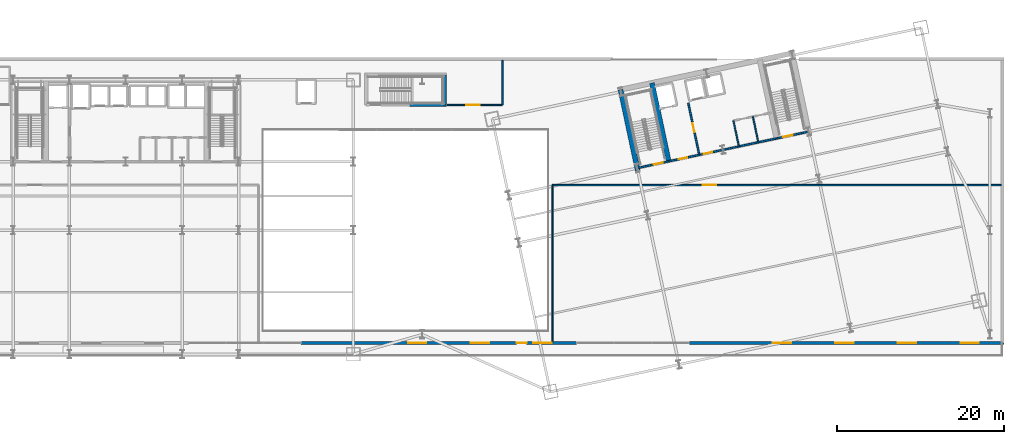
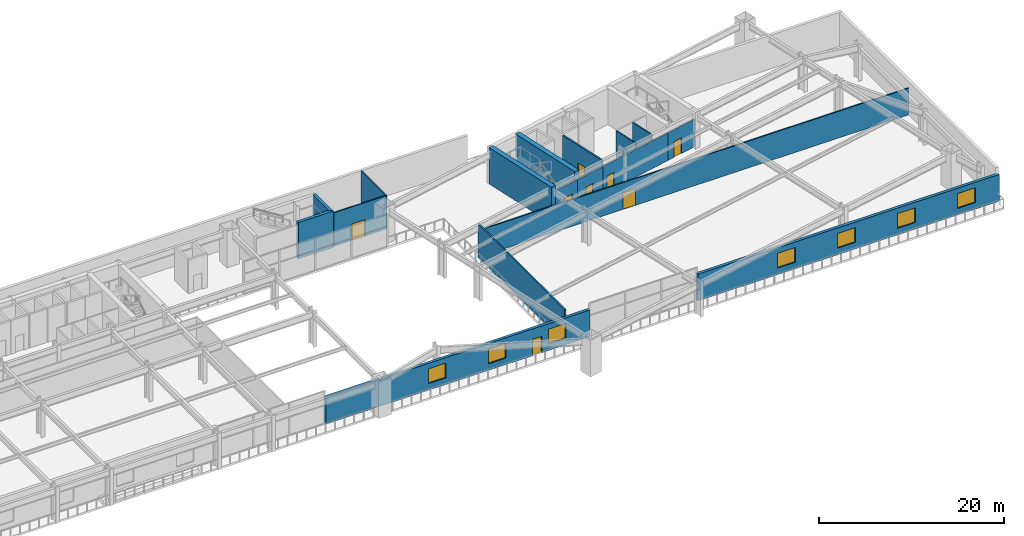
# One storey, part 21 of 35: 17 walls, 8 doors, 7 windows, 15 openings.
"""IFC4 building model written with IfcOpenShell, lengths in metres."""

from ifc_helpers import new_model, si_unit, direction, frame, frame_2d, origin, place, context, subcontext, project, spatial, rectangle, extrude, material, layer, layer_set, type_object, element, fill, save


model = new_model("IFC4")

# Units and contexts
model_context = context("Model", 3, precision=1e-05, world=origin(), true_north=direction((0.0, 1.0)))
body_context = subcontext(model_context, "Body", "Model", "MODEL_VIEW")
ifc_project = project(units=[si_unit("LENGTHUNIT", "METRE"), si_unit("AREAUNIT", "SQUARE_METRE"), si_unit("VOLUMEUNIT", "CUBIC_METRE"), si_unit("PLANEANGLEUNIT", "RADIAN"), si_unit("MASSUNIT", "GRAM", prefix="KILO")], contexts=[model_context])

# Site, building, storey
site_placement = place(None, origin())
site = spatial("IfcSite", under=ifc_project, at=site_placement, CompositionType="ELEMENT")
building_placement = place(site_placement, origin())
building = spatial("IfcBuilding", under=site, at=building_placement, Name="Haevon Station Towers", CompositionType="ELEMENT")
storey_placement = place(building_placement, frame((0.0, 0.0, 20.39990234375)))
storey = spatial("IfcBuildingStorey", under=building, at=storey_placement, Name="L04", CompositionType="ELEMENT", Elevation=20.39990234375)

# Wall, opening, door
ifc_material_1 = material(Name="Gypsum board on steel stud", Category="steel")
ifc_layer_1 = layer(ifc_material_1, 0.199951171875)
ifc_layer_set_1 = layer_set([ifc_layer_1], Name="Gypsum board on steel stud")
wall_type_1 = type_object("IfcWallType", Name="WL-COR200", PredefinedType="PARTITIONING", material=ifc_layer_set_1)
wall_1_placement = place(storey_placement, frame((98.75244140625, 37.4423828125, 0.0), z_axis=(0.0, 0.0, 1.0), x_axis=(0.978143537786, 0.207930804564, 0.0)))
wall_1 = element("IfcWall", 1, at=wall_1_placement, inside=storey, type_object=wall_type_1, Name="WL-ST-ST3-L04", PredefinedType="PARTITIONING", context=body_context, shape_type="SweptSolid", body=[
    extrude(rectangle(XDim=3.85009765625, YDim=0.199951171875, at=frame_2d((1.925048828125, 0.0))), origin(), (0.0, 0.0, 1.0), 3.630126953125),
])
opening_1_placement = place(wall_1_placement, frame((2.0, 0.0, 0.0)))
opening_1 = element("IfcOpeningElement", 2, at=opening_1_placement, cuts=wall_1, Name="Opening DR-ST-ST3-L04", PredefinedType="OPENING", context=body_context, shape_type="SweptSolid", body=[
    extrude(rectangle(XDim=1.1201171875, YDim=2.10009765625, at=frame_2d((0.56005859375, 1.050048828125))), frame((0.0, 0.10986328125, 0.0), z_axis=(0.0, -1.0, 0.0), x_axis=(1.0, 0.0, 0.0)), (0.0, 0.0, 1.0), 0.219970703125),
])
ifc_material_2 = material(Name="Engineered oak timber", Category="wood")
door_type_1 = type_object("IfcDoorType", Name="DR-ST-1120", OperationType="NOTDEFINED", PredefinedType="DOOR", material=ifc_material_2)
door_1_placement = place(opening_1_placement, origin())
door_1 = element("IfcDoor", 3, at=door_1_placement, inside=storey, type_object=door_type_1, Name="L04 Escape Stair ST3 Fire Door", OperationType="SINGLE_SWING_LEFT", OverallHeight=2.10009765625, OverallWidth=1.1201171875, PredefinedType="DOOR", context=body_context, shape_type="SweptSolid", body=[
    extrude(rectangle(XDim=1.1201171875, YDim=2.10009765625, at=frame_2d((0.56005859375, 1.050048828125))), frame((0.0, 0.02490234375, 0.0), z_axis=(0.0, -1.0, 0.0), x_axis=(1.0, 0.0, 0.0)), (0.0, 0.0, 1.0), 0.050048828125),
])
fill(opening_1, door_1)

wall_2_placement = place(storey_placement, frame((115.4296875, 40.9873046875, 0.0), z_axis=(0.0, 0.0, 1.0), x_axis=(0.978146596989, 0.207916413008, 0.0)))
wall_2 = element("IfcWall", 4, at=wall_2_placement, inside=storey, type_object=wall_type_1, Name="WL-ST-ST4-L04", PredefinedType="PARTITIONING", context=body_context, shape_type="SweptSolid", body=[
    extrude(rectangle(XDim=3.9501953125, YDim=0.199951171875, at=frame_2d((1.97509765625, 0.0))), origin(), (0.0, 0.0, 1.0), 3.630126953125),
])
opening_2_placement = place(wall_2_placement, frame((0.85009765625, 0.0, 0.0)))
opening_2 = element("IfcOpeningElement", 5, at=opening_2_placement, cuts=wall_2, Name="Opening DR-ST-ST4-L04", PredefinedType="OPENING", context=body_context, shape_type="SweptSolid", body=[
    extrude(rectangle(XDim=1.1201171875, YDim=2.10009765625, at=frame_2d((0.56005859375, 1.050048828125))), frame((0.0, 0.10986328125, 0.0), z_axis=(0.0, -1.0, 0.0), x_axis=(1.0, 0.0, 0.0)), (0.0, 0.0, 1.0), 0.219970703125),
])
door_2_placement = place(opening_2_placement, origin())
door_2 = element("IfcDoor", 6, at=door_2_placement, inside=storey, type_object=door_type_1, Name="L04 Escape Stair ST4 Fire Door", OperationType="SINGLE_SWING_RIGHT", OverallHeight=2.10009765625, OverallWidth=1.1201171875, PredefinedType="DOOR", context=body_context, shape_type="SweptSolid", body=[
    extrude(rectangle(XDim=1.1201171875, YDim=2.10009765625, at=frame_2d((0.56005859375, 1.050048828125))), frame((0.0, 0.02490234375, 0.0), z_axis=(0.0, -1.0, 0.0), x_axis=(1.0, 0.0, 0.0)), (0.0, 0.0, 1.0), 0.050048828125),
])
fill(opening_2, door_2)

wall_3_placement = place(storey_placement, frame((106.186279296875, 39.0224609375, 0.0), z_axis=(0.0, 0.0, 1.0), x_axis=(-0.207916691923, 0.978146537703, 0.0)))
wall_3 = element("IfcWall", 7, at=wall_3_placement, inside=storey, type_object=wall_type_1, Name="WL-T2FFL-L04-E", PredefinedType="PARTITIONING", context=body_context, shape_type="SweptSolid", body=[
    extrude(rectangle(XDim=6.35009765625, YDim=0.199951171875, at=frame_2d((3.175048828125, 0.0))), origin(), (0.0, 0.0, 1.0), 4.43017578125),
])
opening_3_placement = place(wall_3_placement, frame((2.800048828125, 0.0, 0.0)))
opening_3 = element("IfcOpeningElement", 8, at=opening_3_placement, cuts=wall_3, Name="Opening DR-T2FFL-L04-E", PredefinedType="OPENING", context=body_context, shape_type="SweptSolid", body=[
    extrude(rectangle(XDim=1.050048828125, YDim=2.10009765625, at=frame_2d((0.52490234375, 1.050048828125))), frame((0.0, 0.10986328125, 0.0), z_axis=(0.0, -1.0, 0.0), x_axis=(1.0, 0.0, 0.0)), (0.0, 0.0, 1.0), 0.219970703125),
])
door_type_2 = type_object("IfcDoorType", Name="DR-FD60-1050", OperationType="NOTDEFINED", PredefinedType="DOOR", material=ifc_material_2)
door_3_placement = place(opening_3_placement, origin())
door_3 = element("IfcDoor", 9, at=door_3_placement, inside=storey, type_object=door_type_2, Name="L04 Tower 2 Firefighting Lift Lobby Door E", OperationType="SINGLE_SWING_LEFT", OverallHeight=2.10009765625, OverallWidth=1.050048828125, PredefinedType="DOOR", context=body_context, shape_type="SweptSolid", body=[
    extrude(rectangle(XDim=1.050048828125, YDim=2.10009765625, at=frame_2d((0.52490234375, 1.050048828125))), frame((0.0, 0.02490234375, 0.0), z_axis=(0.0, -1.0, 0.0), x_axis=(1.0, 0.0, 0.0)), (0.0, 0.0, 1.0), 0.050048828125),
])
fill(opening_3, door_3)

wall_4_placement = place(storey_placement, frame((102.518310546875, 38.242919921875, 0.0), z_axis=(0.0, 0.0, 1.0), x_axis=(0.978153555683, 0.20788367301, 0.0)))
wall_4 = element("IfcWall", 10, at=wall_4_placement, inside=storey, type_object=wall_type_1, Name="WL-T2FFL-L04-S", PredefinedType="PARTITIONING", context=body_context, shape_type="SweptSolid", body=[
    extrude(rectangle(XDim=3.75, YDim=0.199951171875, at=frame_2d((1.875, 0.0))), origin(), (0.0, 0.0, 1.0), 3.630126953125),
])
opening_4_placement = place(wall_4_placement, frame((1.25, 0.0, 0.0)))
opening_4 = element("IfcOpeningElement", 11, at=opening_4_placement, cuts=wall_4, Name="Opening DR-T2FFL-L04-S", PredefinedType="OPENING", context=body_context, shape_type="SweptSolid", body=[
    extrude(rectangle(XDim=1.050048828125, YDim=2.10009765625, at=frame_2d((0.52490234375, 1.050048828125))), frame((0.0, 0.10986328125, 0.0), z_axis=(0.0, -1.0, 0.0), x_axis=(1.0, 0.0, 0.0)), (0.0, 0.0, 1.0), 0.219970703125),
])
door_4_placement = place(opening_4_placement, origin())
door_4 = element("IfcDoor", 12, at=door_4_placement, inside=storey, type_object=door_type_2, Name="L04 Tower 2 Firefighting Lift Lobby Door S", OperationType="SINGLE_SWING_RIGHT", OverallHeight=2.10009765625, OverallWidth=1.050048828125, PredefinedType="DOOR", context=body_context, shape_type="SweptSolid", body=[
    extrude(rectangle(XDim=1.050048828125, YDim=2.10009765625, at=frame_2d((0.52490234375, 1.050048828125))), frame((0.0, 0.02490234375, 0.0), z_axis=(0.0, -1.0, 0.0), x_axis=(1.0, 0.0, 0.0)), (0.0, 0.0, 1.0), 0.050048828125),
])
fill(opening_4, door_4)

wall_5_placement = place(storey_placement, frame((106.186279296875, 39.0224609375, 0.0), z_axis=(0.0, 0.0, 1.0), x_axis=(0.978145519981, 0.20792147975, 0.0)))
wall_5 = element("IfcWall", 13, at=wall_5_placement, inside=storey, type_object=wall_type_1, Name="WL-T2CLB-L04", PredefinedType="PARTITIONING", context=body_context, shape_type="SweptSolid", body=[
    extrude(rectangle(XDim=9.449951171875, YDim=0.199951171875, at=frame_2d((4.72509765625, 0.0))), origin(), (0.0, 0.0, 1.0), 3.630126953125),
])
opening_5_placement = place(wall_5_placement, frame((0.550048828125, 0.0, 0.0)))
opening_5 = element("IfcOpeningElement", 14, at=opening_5_placement, cuts=wall_5, Name="Opening DR-T2CLB-L04-1", PredefinedType="OPENING", context=body_context, shape_type="SweptSolid", body=[
    extrude(rectangle(XDim=1.050048828125, YDim=2.10009765625, at=frame_2d((0.52490234375, 1.050048828125))), frame((0.0, 0.10986328125, 0.0), z_axis=(0.0, -1.0, 0.0), x_axis=(1.0, 0.0, 0.0)), (0.0, 0.0, 1.0), 0.219970703125),
])
door_5_placement = place(opening_5_placement, origin())
door_5 = element("IfcDoor", 15, at=door_5_placement, inside=storey, type_object=door_type_2, Name="L04 Tower 2 Core Lift Lobby Door 1", OperationType="SINGLE_SWING_LEFT", OverallHeight=2.10009765625, OverallWidth=1.050048828125, PredefinedType="DOOR", context=body_context, shape_type="SweptSolid", body=[
    extrude(rectangle(XDim=1.050048828125, YDim=2.10009765625, at=frame_2d((0.52490234375, 1.050048828125))), frame((0.0, 0.02490234375, 0.0), z_axis=(0.0, -1.0, 0.0), x_axis=(1.0, 0.0, 0.0)), (0.0, 0.0, 1.0), 0.050048828125),
])
fill(opening_5, door_5)

# Walls
ifc_material_3 = material(Name="Concrete C60/75", Category="concrete")
ifc_layer_2 = layer(ifc_material_3, 0.39990234375)
ifc_layer_set_2 = layer_set([ifc_layer_2], Name="Concrete C60/75")
wall_type_2 = type_object("IfcWallType", Name="WL-CR400", PredefinedType="SHEAR", material=ifc_layer_set_2)
wall_6_placement = place(storey_placement, frame((75.699951171875, 45.0, 0.0), z_axis=(0.0, 0.0, 1.0), x_axis=(0.0, 1.0, 0.0)))
element("IfcWall", 16, at=wall_6_placement, inside=storey, type_object=wall_type_2, Name="WL-ST6CR-L04-E", PredefinedType="SHEAR", context=body_context, shape_type="SweptSolid", body=[
    extrude(rectangle(XDim=3.60009765625, YDim=0.39990234375, at=frame_2d((1.800048828125, 0.0))), origin(), (0.0, 0.0, 1.0), 4.800048828125),
])
wall_7_placement = place(storey_placement, frame((71.5, 45.0, 0.0), z_axis=(0.0, 0.0, 1.0), x_axis=(1.0, 0.0, 0.0)))
element("IfcWall", 17, at=wall_7_placement, inside=storey, type_object=wall_type_2, Name="WL-ST6CR-L04-S2", PredefinedType="SHEAR", context=body_context, shape_type="SweptSolid", body=[
    extrude(rectangle(XDim=4.39990234375, YDim=0.39990234375, at=frame_2d((2.199951171875, 0.0))), origin(), (0.0, 0.0, 1.0), 4.800048828125),
])
ifc_layer_3 = layer(ifc_material_3, 0.60009765625)
ifc_layer_set_3 = layer_set([ifc_layer_3], Name="Concrete C60/75")
wall_type_3 = type_object("IfcWallType", Name="WL-CR600", PredefinedType="SHEAR", material=ifc_layer_set_3)
wall_8_placement = place(storey_placement, frame((98.8603515625, 36.933837890625, 0.0), z_axis=(0.0, 0.0, 1.0), x_axis=(-0.20790924889, 0.978148119778, 0.0)))
element("IfcWall", 18, at=wall_8_placement, inside=storey, type_object=wall_type_3, Name="WL-T2CR-L04-W", PredefinedType="SHEAR", context=body_context, shape_type="SweptSolid", body=[
    extrude(rectangle(XDim=10.119873046875, YDim=0.60009765625, at=frame_2d((5.06005859375, 0.0))), origin(), (0.0, 0.0, 1.0), 4.800048828125),
])
wall_9_placement = place(storey_placement, frame((102.518310546875, 38.242919921875, 0.0), z_axis=(0.0, 0.0, 1.0), x_axis=(-0.207927495108, 0.978144241295, 0.0)))
element("IfcWall", 19, at=wall_9_placement, inside=storey, type_object=wall_type_3, Name="WL-T2CR-L04-M1", PredefinedType="SHEAR", context=body_context, shape_type="SweptSolid", body=[
    extrude(rectangle(XDim=9.599853515625, YDim=0.60009765625, at=frame_2d((4.7998046875, 0.0))), origin(), (0.0, 0.0, 1.0), 4.800048828125),
])

# Wall, openings, windows
ifc_material_4 = material(Name="Precast concrete C45/55", Category="concrete")
ifc_layer_4 = layer(ifc_material_4, 0.360107421875)
ifc_layer_set_4 = layer_set([ifc_layer_4], Name="Precast concrete C45/55")
wall_type_4 = type_object("IfcWallType", Name="WL-EXT-POD360", PredefinedType="SOLIDWALL", material=ifc_layer_set_4)
wall_10_placement = place(storey_placement, frame((142.679931640625, 16.5, 0.0), z_axis=(0.0, 0.0, 1.0), x_axis=(-1.0, 0.0, 0.0)))
wall_10 = element("IfcWall", 20, at=wall_10_placement, inside=storey, type_object=wall_type_4, Name="WL-POD-L04-S1", PredefinedType="SOLIDWALL", context=body_context, shape_type="SweptSolid", body=[
    extrude(rectangle(XDim=37.679931640625, YDim=0.360107421875, at=frame_2d((18.83984375, 0.0))), origin(), (0.0, 0.0, 1.0), 3.530029296875),
])
opening_6_placement = place(wall_10_placement, frame((3.0, 0.0, 0.85009765625)))
opening_6 = element("IfcOpeningElement", 21, at=opening_6_placement, cuts=wall_10, Name="Opening WN-P220", PredefinedType="OPENING", context=body_context, shape_type="SweptSolid", body=[
    extrude(rectangle(XDim=2.199951171875, YDim=1.949951171875, at=frame_2d((1.10009765625, 0.97509765625))), frame((0.0, 0.18994140625, 0.0), z_axis=(0.0, -1.0, 0.0), x_axis=(1.0, 0.0, 0.0)), (0.0, 0.0, 1.0), 0.380126953125),
])
opening_7_placement = place(wall_10_placement, frame((10.5, 0.0, 0.85009765625)))
opening_7 = element("IfcOpeningElement", 22, at=opening_7_placement, cuts=wall_10, Name="Opening WN-P220", PredefinedType="OPENING", context=body_context, shape_type="SweptSolid", body=[
    extrude(rectangle(XDim=2.199951171875, YDim=1.949951171875, at=frame_2d((1.10009765625, 0.97509765625))), frame((0.0, 0.18994140625, 0.0), z_axis=(0.0, -1.0, 0.0), x_axis=(1.0, 0.0, 0.0)), (0.0, 0.0, 1.0), 0.380126953125),
])
opening_8_placement = place(wall_10_placement, frame((18.0, 0.0, 0.85009765625)))
opening_8 = element("IfcOpeningElement", 23, at=opening_8_placement, cuts=wall_10, Name="Opening WN-P220", PredefinedType="OPENING", context=body_context, shape_type="SweptSolid", body=[
    extrude(rectangle(XDim=2.199951171875, YDim=1.949951171875, at=frame_2d((1.10009765625, 0.97509765625))), frame((0.0, 0.18994140625, 0.0), z_axis=(0.0, -1.0, 0.0), x_axis=(1.0, 0.0, 0.0)), (0.0, 0.0, 1.0), 0.380126953125),
])
opening_9_placement = place(wall_10_placement, frame((25.5, 0.0, 0.85009765625)))
opening_9 = element("IfcOpeningElement", 24, at=opening_9_placement, cuts=wall_10, Name="Opening WN-P220", PredefinedType="OPENING", context=body_context, shape_type="SweptSolid", body=[
    extrude(rectangle(XDim=2.199951171875, YDim=1.949951171875, at=frame_2d((1.10009765625, 0.97509765625))), frame((0.0, 0.18994140625, 0.0), z_axis=(0.0, -1.0, 0.0), x_axis=(1.0, 0.0, 0.0)), (0.0, 0.0, 1.0), 0.380126953125),
])
ifc_material_5 = material(Name="Low-E triple glazing in thermally broken aluminium", Category="aluminium")
window_type = type_object("IfcWindowType", Name="WN-P220", PartitioningType="SINGLE_PANEL", PredefinedType="WINDOW", material=ifc_material_5)
window_1_placement = place(opening_6_placement, origin())
window_1 = element("IfcWindow", 25, at=window_1_placement, inside=storey, type_object=window_type, Name="WN-POD-L04-S1-01", OverallHeight=1.949951171875, OverallWidth=2.199951171875, PartitioningType="SINGLE_PANEL", PredefinedType="WINDOW", context=body_context, shape_type="SweptSolid", body=[
    extrude(rectangle(XDim=2.199951171875, YDim=1.949951171875, at=frame_2d((1.10009765625, 0.97509765625))), frame((0.0, 0.030029296875, 0.0), z_axis=(0.0, -1.0, 0.0), x_axis=(1.0, 0.0, 0.0)), (0.0, 0.0, 1.0), 0.06005859375),
])
fill(opening_6, window_1)
window_2_placement = place(opening_7_placement, origin())
window_2 = element("IfcWindow", 26, at=window_2_placement, inside=storey, type_object=window_type, Name="WN-POD-L04-S1-02", OverallHeight=1.949951171875, OverallWidth=2.199951171875, PartitioningType="SINGLE_PANEL", PredefinedType="WINDOW", context=body_context, shape_type="SweptSolid", body=[
    extrude(rectangle(XDim=2.199951171875, YDim=1.949951171875, at=frame_2d((1.10009765625, 0.97509765625))), frame((0.0, 0.030029296875, 0.0), z_axis=(0.0, -1.0, 0.0), x_axis=(1.0, 0.0, 0.0)), (0.0, 0.0, 1.0), 0.06005859375),
])
fill(opening_7, window_2)
window_3_placement = place(opening_8_placement, origin())
window_3 = element("IfcWindow", 27, at=window_3_placement, inside=storey, type_object=window_type, Name="WN-POD-L04-S1-03", OverallHeight=1.949951171875, OverallWidth=2.199951171875, PartitioningType="SINGLE_PANEL", PredefinedType="WINDOW", context=body_context, shape_type="SweptSolid", body=[
    extrude(rectangle(XDim=2.199951171875, YDim=1.949951171875, at=frame_2d((1.10009765625, 0.97509765625))), frame((0.0, 0.030029296875, 0.0), z_axis=(0.0, -1.0, 0.0), x_axis=(1.0, 0.0, 0.0)), (0.0, 0.0, 1.0), 0.06005859375),
])
fill(opening_8, window_3)
window_4_placement = place(opening_9_placement, origin())
window_4 = element("IfcWindow", 28, at=window_4_placement, inside=storey, type_object=window_type, Name="WN-POD-L04-S1-04", OverallHeight=1.949951171875, OverallWidth=2.199951171875, PartitioningType="SINGLE_PANEL", PredefinedType="WINDOW", context=body_context, shape_type="SweptSolid", body=[
    extrude(rectangle(XDim=2.199951171875, YDim=1.949951171875, at=frame_2d((1.10009765625, 0.97509765625))), frame((0.0, 0.030029296875, 0.0), z_axis=(0.0, -1.0, 0.0), x_axis=(1.0, 0.0, 0.0)), (0.0, 0.0, 1.0), 0.06005859375),
])
fill(opening_9, window_4)

# Wall, openings, door, windows
wall_11_placement = place(storey_placement, frame((91.5, 16.5, 0.0), z_axis=(0.0, 0.0, 1.0), x_axis=(-1.0, 0.0, 0.0)))
wall_11 = element("IfcWall", 29, at=wall_11_placement, inside=storey, type_object=wall_type_4, Name="WL-POD-L04-S2", PredefinedType="SOLIDWALL", context=body_context, shape_type="SweptSolid", body=[
    extrude(rectangle(XDim=33.0, YDim=0.360107421875, at=frame_2d((16.5, 0.0))), origin(), (0.0, 0.0, 1.0), 3.530029296875),
])
opening_10_placement = place(wall_11_placement, frame((3.0, 0.0, 0.85009765625)))
opening_10 = element("IfcOpeningElement", 30, at=opening_10_placement, cuts=wall_11, Name="Opening WN-P220", PredefinedType="OPENING", context=body_context, shape_type="SweptSolid", body=[
    extrude(rectangle(XDim=2.199951171875, YDim=1.949951171875, at=frame_2d((1.10009765625, 0.97509765625))), frame((0.0, 0.18994140625, 0.0), z_axis=(0.0, -1.0, 0.0), x_axis=(1.0, 0.0, 0.0)), (0.0, 0.0, 1.0), 0.380126953125),
])
opening_11_placement = place(wall_11_placement, frame((10.5, 0.0, 0.85009765625)))
opening_11 = element("IfcOpeningElement", 31, at=opening_11_placement, cuts=wall_11, Name="Opening WN-P220", PredefinedType="OPENING", context=body_context, shape_type="SweptSolid", body=[
    extrude(rectangle(XDim=2.199951171875, YDim=1.949951171875, at=frame_2d((1.10009765625, 0.97509765625))), frame((0.0, 0.18994140625, 0.0), z_axis=(0.0, -1.0, 0.0), x_axis=(1.0, 0.0, 0.0)), (0.0, 0.0, 1.0), 0.380126953125),
])
opening_12_placement = place(wall_11_placement, frame((18.0, 0.0, 0.85009765625)))
opening_12 = element("IfcOpeningElement", 32, at=opening_12_placement, cuts=wall_11, Name="Opening WN-P220", PredefinedType="OPENING", context=body_context, shape_type="SweptSolid", body=[
    extrude(rectangle(XDim=2.199951171875, YDim=1.949951171875, at=frame_2d((1.10009765625, 0.97509765625))), frame((0.0, 0.18994140625, 0.0), z_axis=(0.0, -1.0, 0.0), x_axis=(1.0, 0.0, 0.0)), (0.0, 0.0, 1.0), 0.380126953125),
])
opening_13_placement = place(wall_11_placement, frame((6.0, 0.0, 0.0)))
opening_13 = element("IfcOpeningElement", 33, at=opening_13_placement, cuts=wall_11, Name="Opening DR-POD-TERR-L04", PredefinedType="OPENING", context=body_context, shape_type="SweptSolid", body=[
    extrude(rectangle(XDim=1.199951171875, YDim=2.14990234375, at=frame_2d((0.60009765625, 1.074951171875))), frame((0.0, 0.18994140625, 0.0), z_axis=(0.0, -1.0, 0.0), x_axis=(1.0, 0.0, 0.0)), (0.0, 0.0, 1.0), 0.380126953125),
])
ifc_material_6 = material(Name="Thermally broken anodised aluminium and laminated safety glass", Category="aluminium")
door_type_3 = type_object("IfcDoorType", Name="DR-BALC-1200", OperationType="NOTDEFINED", PredefinedType="DOOR", material=ifc_material_6)
door_6_placement = place(opening_13_placement, origin())
door_6 = element("IfcDoor", 34, at=door_6_placement, inside=storey, type_object=door_type_3, Name="L04 Podium Terrace Access Door", OperationType="SINGLE_SWING_RIGHT", OverallHeight=2.14990234375, OverallWidth=1.199951171875, PredefinedType="DOOR", context=body_context, shape_type="SweptSolid", body=[
    extrude(rectangle(XDim=1.199951171875, YDim=2.14990234375, at=frame_2d((0.60009765625, 1.074951171875))), frame((0.0, 0.02490234375, 0.0), z_axis=(0.0, -1.0, 0.0), x_axis=(1.0, 0.0, 0.0)), (0.0, 0.0, 1.0), 0.050048828125),
])
fill(opening_13, door_6)
window_5_placement = place(opening_10_placement, origin())
window_5 = element("IfcWindow", 35, at=window_5_placement, inside=storey, type_object=window_type, Name="WN-POD-L04-S2-01", OverallHeight=1.949951171875, OverallWidth=2.199951171875, PartitioningType="SINGLE_PANEL", PredefinedType="WINDOW", context=body_context, shape_type="SweptSolid", body=[
    extrude(rectangle(XDim=2.199951171875, YDim=1.949951171875, at=frame_2d((1.10009765625, 0.97509765625))), frame((0.0, 0.030029296875, 0.0), z_axis=(0.0, -1.0, 0.0), x_axis=(1.0, 0.0, 0.0)), (0.0, 0.0, 1.0), 0.06005859375),
])
fill(opening_10, window_5)
window_6_placement = place(opening_11_placement, origin())
window_6 = element("IfcWindow", 36, at=window_6_placement, inside=storey, type_object=window_type, Name="WN-POD-L04-S2-02", OverallHeight=1.949951171875, OverallWidth=2.199951171875, PartitioningType="SINGLE_PANEL", PredefinedType="WINDOW", context=body_context, shape_type="SweptSolid", body=[
    extrude(rectangle(XDim=2.199951171875, YDim=1.949951171875, at=frame_2d((1.10009765625, 0.97509765625))), frame((0.0, 0.030029296875, 0.0), z_axis=(0.0, -1.0, 0.0), x_axis=(1.0, 0.0, 0.0)), (0.0, 0.0, 1.0), 0.06005859375),
])
fill(opening_11, window_6)
window_7_placement = place(opening_12_placement, origin())
window_7 = element("IfcWindow", 37, at=window_7_placement, inside=storey, type_object=window_type, Name="WN-POD-L04-S2-03", OverallHeight=1.949951171875, OverallWidth=2.199951171875, PartitioningType="SINGLE_PANEL", PredefinedType="WINDOW", context=body_context, shape_type="SweptSolid", body=[
    extrude(rectangle(XDim=2.199951171875, YDim=1.949951171875, at=frame_2d((1.10009765625, 0.97509765625))), frame((0.0, 0.030029296875, 0.0), z_axis=(0.0, -1.0, 0.0), x_axis=(1.0, 0.0, 0.0)), (0.0, 0.0, 1.0), 0.06005859375),
])
fill(opening_12, window_7)

# Wall
ifc_layer_5 = layer(ifc_material_1, 0.159912109375)
ifc_layer_set_5 = layer_set([ifc_layer_5], Name="Gypsum board on steel stud")
wall_type_5 = type_object("IfcWallType", Name="WL-PRT160", PredefinedType="PARTITIONING", material=ifc_layer_set_5)
wall_12_placement = place(storey_placement, frame((88.60009765625, 16.64990234375, 0.0), z_axis=(0.0, 0.0, 1.0), x_axis=(0.0, 1.0, 0.0)))
element("IfcWall", 38, at=wall_12_placement, inside=storey, type_object=wall_type_5, Name="WL-L04-EAST", PredefinedType="PARTITIONING", context=body_context, shape_type="SweptSolid", body=[
    extrude(rectangle(XDim=18.75, YDim=0.159912109375, at=frame_2d((9.375, 0.0))), origin(), (0.0, 0.0, 1.0), 4.43017578125),
])

# Wall, opening, door
wall_13_placement = place(storey_placement, frame((88.60009765625, 35.39990234375, 0.0), z_axis=(0.0, 0.0, 1.0), x_axis=(1.0, 0.0, 0.0)))
wall_13 = element("IfcWall", 39, at=wall_13_placement, inside=storey, type_object=wall_type_5, Name="WL-L04-EASTN", PredefinedType="PARTITIONING", context=body_context, shape_type="SweptSolid", body=[
    extrude(rectangle(XDim=53.75, YDim=0.159912109375, at=frame_2d((26.875, 0.0))), origin(), (0.0, 0.0, 1.0), 3.530029296875),
])
opening_14_placement = place(wall_13_placement, frame((18.0, 0.0, 0.0)))
opening_14 = element("IfcOpeningElement", 40, at=opening_14_placement, cuts=wall_13, Name="Opening DR-WL-L04-EASTN-1", PredefinedType="OPENING", context=body_context, shape_type="SweptSolid", body=[
    extrude(rectangle(XDim=1.60009765625, YDim=2.199951171875, at=frame_2d((0.800048828125, 1.10009765625))), frame((0.0, 0.08984375, 0.0), z_axis=(0.0, -1.0, 0.0), x_axis=(1.0, 0.0, 0.0)), (0.0, 0.0, 1.0), 0.179931640625),
])
door_type_4 = type_object("IfcDoorType", Name="DR-POD-1600", OperationType="NOTDEFINED", PredefinedType="DOOR", material=ifc_material_2)
door_7_placement = place(opening_14_placement, origin())
door_7 = element("IfcDoor", 41, at=door_7_placement, inside=storey, type_object=door_type_4, Name="L04 Interior Door WL-L04-EASTN-1", OperationType="DOUBLE_DOOR_SINGLE_SWING", OverallHeight=2.199951171875, OverallWidth=1.60009765625, PredefinedType="DOOR", context=body_context, shape_type="SweptSolid", body=[
    extrude(rectangle(XDim=1.60009765625, YDim=2.199951171875, at=frame_2d((0.800048828125, 1.10009765625))), frame((0.0, 0.02490234375, 0.0), z_axis=(0.0, -1.0, 0.0), x_axis=(1.0, 0.0, 0.0)), (0.0, 0.0, 1.0), 0.050048828125),
])
fill(opening_14, door_7)

wall_14_placement = place(storey_placement, frame((76.0, 45.0, 0.0), z_axis=(0.0, 0.0, 1.0), x_axis=(1.0, 0.0, 0.0)))
wall_14 = element("IfcWall", 42, at=wall_14_placement, inside=storey, type_object=wall_type_5, Name="WL-L04-NORTH", PredefinedType="PARTITIONING", context=body_context, shape_type="SweptSolid", body=[
    extrude(rectangle(XDim=6.60009765625, YDim=0.159912109375, at=frame_2d((3.300048828125, 0.0))), origin(), (0.0, 0.0, 1.0), 4.43017578125),
])
opening_15_placement = place(wall_14_placement, frame((2.300048828125, 0.0, 0.0)))
opening_15 = element("IfcOpeningElement", 43, at=opening_15_placement, cuts=wall_14, Name="Opening DR-WL-L04-NORTH-1", PredefinedType="OPENING", context=body_context, shape_type="SweptSolid", body=[
    extrude(rectangle(XDim=1.60009765625, YDim=2.199951171875, at=frame_2d((0.800048828125, 1.10009765625))), frame((0.0, 0.08984375, 0.0), z_axis=(0.0, -1.0, 0.0), x_axis=(1.0, 0.0, 0.0)), (0.0, 0.0, 1.0), 0.179931640625),
])
door_8_placement = place(opening_15_placement, origin())
door_8 = element("IfcDoor", 44, at=door_8_placement, inside=storey, type_object=door_type_4, Name="L04 Interior Door WL-L04-NORTH-1", OperationType="DOUBLE_DOOR_SINGLE_SWING", OverallHeight=2.199951171875, OverallWidth=1.60009765625, PredefinedType="DOOR", context=body_context, shape_type="SweptSolid", body=[
    extrude(rectangle(XDim=1.60009765625, YDim=2.199951171875, at=frame_2d((0.800048828125, 1.10009765625))), frame((0.0, 0.02490234375, 0.0), z_axis=(0.0, -1.0, 0.0), x_axis=(1.0, 0.0, 0.0)), (0.0, 0.0, 1.0), 0.050048828125),
])
fill(opening_15, door_8)

# Walls
wall_15_placement = place(storey_placement, frame((82.60009765625, 45.0, 0.0), z_axis=(0.0, 0.0, 1.0), x_axis=(0.0, 1.0, 0.0)))
element("IfcWall", 45, at=wall_15_placement, inside=storey, type_object=wall_type_5, Name="WL-L04-NORTHE", PredefinedType="PARTITIONING", context=body_context, shape_type="SweptSolid", body=[
    extrude(rectangle(XDim=5.35009765625, YDim=0.159912109375, at=frame_2d((2.675048828125, 0.0))), origin(), (0.0, 0.0, 1.0), 4.43017578125),
])
wall_16_placement = place(storey_placement, frame((110.93017578125, 40.031005859375, 0.0), z_axis=(0.0, 0.0, 1.0), x_axis=(-0.207877295669, 0.978154911016, 0.0)))
element("IfcWall", 46, at=wall_16_placement, inside=storey, type_object=wall_type_5, Name="WL-T2CW-L04-01", PredefinedType="PARTITIONING", context=body_context, shape_type="SweptSolid", body=[
    extrude(rectangle(XDim=3.14990234375, YDim=0.159912109375, at=frame_2d((1.574951171875, 0.0))), origin(), (0.0, 0.0, 1.0), 4.43017578125),
])
wall_17_placement = place(storey_placement, frame((113.25830078125, 40.525634765625, 0.0), z_axis=(0.0, 0.0, 1.0), x_axis=(-0.207935688634, 0.978142499533, 0.0)))
element("IfcWall", 47, at=wall_17_placement, inside=storey, type_object=wall_type_5, Name="WL-T2CW-L04-02", PredefinedType="PARTITIONING", context=body_context, shape_type="SweptSolid", body=[
    extrude(rectangle(XDim=3.150146484375, YDim=0.159912109375, at=frame_2d((1.5751953125, 0.0))), origin(), (0.0, 0.0, 1.0), 4.43017578125),
])

save(model, "model.ifc")
